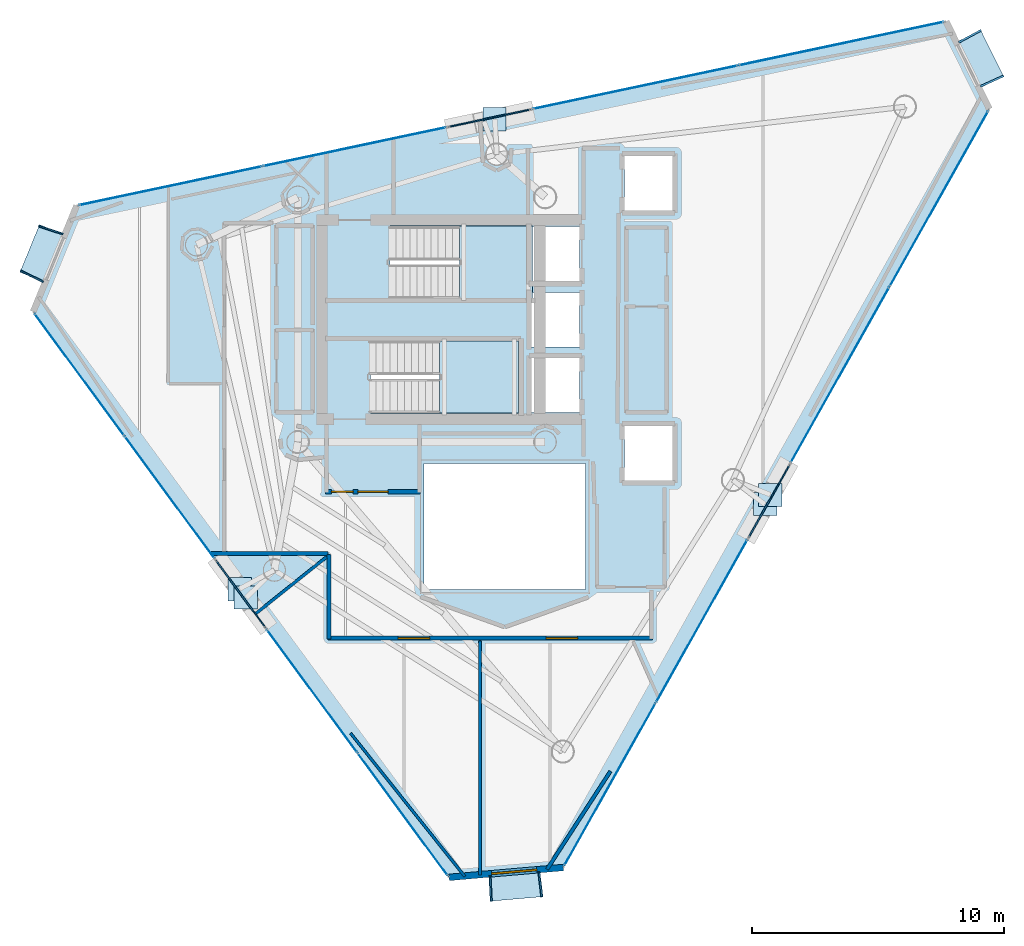
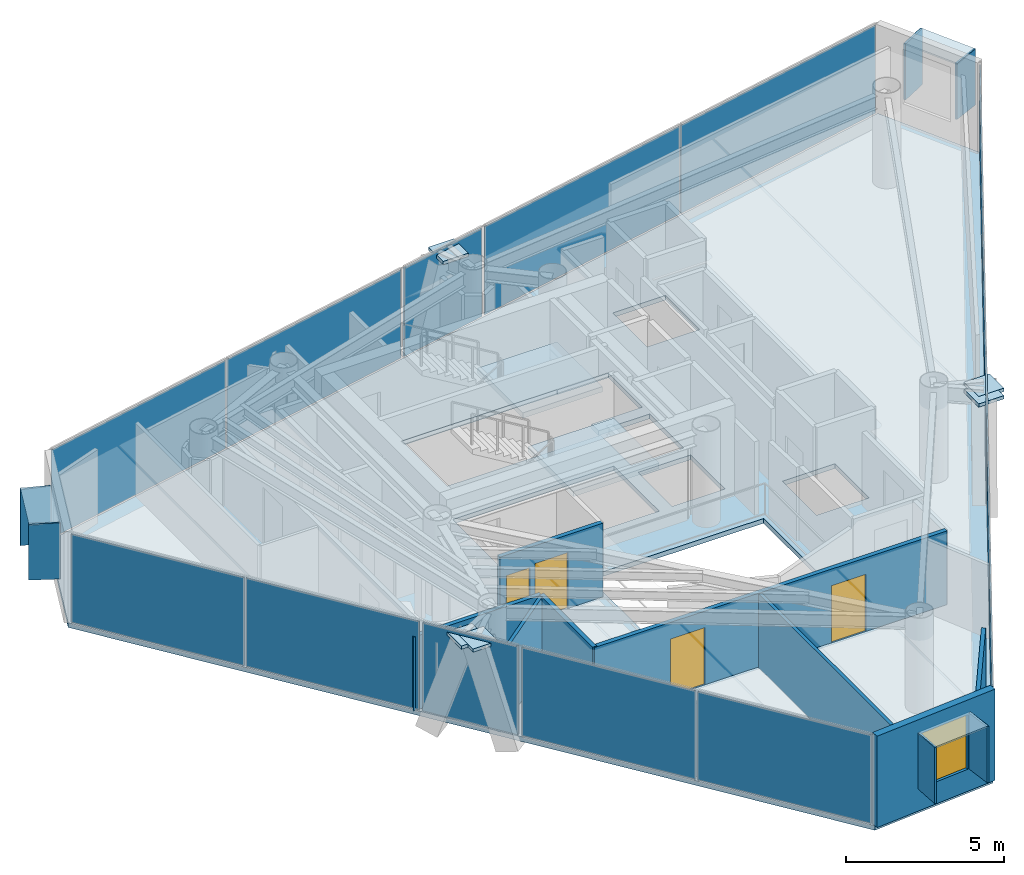
# One storey, part 16 of 21: 29 plates, 9 walls, 4 doors, 3 slabs, 1 window, 5 openings, 11 elements without a shape of their own.
"""IFC4 building model written with IfcOpenShell, lengths in metres."""

from ifc_helpers import new_model, si_unit, direction, frame, frame_2d, origin, origin_2d, place, context, subcontext, project, spatial, polyline, rectangle, outline, extrude, material, layer, layer_set, type_object, element, fill, aggregate, save


model = new_model("IFC4")

# Units and contexts
model_context = context("Model", 3, precision=1e-05, world=origin(), true_north=direction((0.0, 1.0)))
body_context = subcontext(model_context, "Body", "Model", "MODEL_VIEW")
ifc_project = project(units=[si_unit("LENGTHUNIT", "METRE"), si_unit("AREAUNIT", "SQUARE_METRE"), si_unit("VOLUMEUNIT", "CUBIC_METRE"), si_unit("PLANEANGLEUNIT", "RADIAN"), si_unit("MASSUNIT", "GRAM", prefix="KILO")], contexts=[model_context])

# Site, building, storey
site_placement = place(None, origin())
site = spatial("IfcSite", under=ifc_project, at=site_placement, CompositionType="ELEMENT")
building_placement = place(site_placement, origin())
building = spatial("IfcBuilding", under=site, at=building_placement, Name="Qianvela Tower", CompositionType="ELEMENT")
storey_placement = place(building_placement, frame((0.0, 0.0, 302.800048828125)))
storey = spatial("IfcBuildingStorey", under=building, at=storey_placement, Name="L78", CompositionType="ELEMENT", Elevation=302.800048828125)

# Curtain wall, plate
ifc_material_1 = material(Name="Anodised Architectural Aluminium and Insulated Spandrel Panel", Category="aluminium")
ifc_layer_1 = layer(ifc_material_1, 0.179931640625)
ifc_layer_set_1 = layer_set([ifc_layer_1], Name="Anodised Architectural Aluminium and Insulated Spandrel Panel")
curtain_wall_type_1 = type_object("IfcCurtainWallType", Name="CW-BRACEBAY", PredefinedType="USERDEFINED", material=ifc_layer_set_1)
curtain_wall_1_placement = place(storey_placement, origin())
curtain_wall_1 = element("IfcCurtainWall", 1, at=curtain_wall_1_placement, inside=storey, type_object=curtain_wall_type_1, Name="L78 CW-BRACEBAY Curtain Wall 02B", ObjectType="CURTAIN_WALL_SYSTEM", PredefinedType="USERDEFINED")
ifc_material_2 = material(Name="Insulated Aluminium Spandrel Panel with Mineral-Wool Backpan", Category="aluminium")
ifc_layer_2 = layer(ifc_material_2, 0.06005859375)
ifc_layer_set_2 = layer_set([ifc_layer_2], Name="Insulated Aluminium Spandrel Panel with Mineral-Wool Backpan")
plate_type_1 = type_object("IfcPlateType", Name="CW-BRACEBAY-PNL", PredefinedType="CURTAIN_PANEL", material=ifc_layer_set_2)
plate_1_placement = place(storey_placement, frame((36.194580078125, 36.6787109375, 0.06494140625), z_axis=(0.0, 0.0, 1.0), x_axis=(-0.978268005691, -0.207344421294, 0.0)))
plate_1 = element("IfcPlate", 2, at=plate_1_placement, type_object=plate_type_1, Name="CW-9 panel 1.1", PredefinedType="CURTAIN_PANEL", context=body_context, shape_type="SweptSolid", body=[
    extrude(rectangle(XDim=3.300048828125, YDim=0.06005859375, at=origin_2d()), origin(), (0.0, 0.0, 1.0), 3.389892578125),
])
aggregate(curtain_wall_1, [plate_1])

curtain_wall_2_placement = place(storey_placement, origin())
curtain_wall_2 = element("IfcCurtainWall", 3, at=curtain_wall_2_placement, inside=storey, type_object=curtain_wall_type_1, Name="L78 CW-BRACEBAY Curtain Wall 04B", ObjectType="CURTAIN_WALL_SYSTEM", PredefinedType="USERDEFINED")
plate_2_placement = place(storey_placement, frame((26.3388671875, 17.826904296875, 0.06494140625), z_axis=(0.0, 0.0, 1.0), x_axis=(0.592300020057, -0.805717497787, 0.0)))
plate_2 = element("IfcPlate", 4, at=plate_2_placement, type_object=plate_type_1, Name="CW-9 panel 1.1", PredefinedType="CURTAIN_PANEL", context=body_context, shape_type="SweptSolid", body=[
    extrude(rectangle(XDim=3.2900390625, YDim=0.06005859375, at=origin_2d()), origin(), (0.0, 0.0, 1.0), 3.389892578125),
])
aggregate(curtain_wall_2, [plate_2])

curtain_wall_3_placement = place(storey_placement, origin())
curtain_wall_3 = element("IfcCurtainWall", 5, at=curtain_wall_3_placement, inside=storey, type_object=curtain_wall_type_1, Name="L78 CW-BRACEBAY Curtain Wall 06B", ObjectType="CURTAIN_WALL_SYSTEM", PredefinedType="USERDEFINED")
plate_3_placement = place(storey_placement, frame((47.27001953125, 21.50927734375, 0.06494140625), z_axis=(0.0, 0.0, 1.0), x_axis=(0.489805820847, 0.871831553607, 0.0)))
plate_3 = element("IfcPlate", 6, at=plate_3_placement, type_object=plate_type_1, Name="CW-9 panel 1.1", PredefinedType="CURTAIN_PANEL", context=body_context, shape_type="SweptSolid", body=[
    extrude(rectangle(XDim=3.2900390625, YDim=0.06005859375, at=origin_2d()), origin(), (0.0, 0.0, 1.0), 3.389892578125),
])
aggregate(curtain_wall_3, [plate_3])

# Curtain wall, plates
ifc_material_3 = material(Name="Anodised Architectural Aluminium and Low-E Glass", Category="aluminium")
ifc_layer_3 = layer(ifc_material_3, 0.14990234375)
ifc_layer_set_3 = layer_set([ifc_layer_3], Name="Anodised Architectural Aluminium and Low-E Glass")
curtain_wall_type_2 = type_object("IfcCurtainWallType", Name="CW-COLIV-Z78", PredefinedType="USERDEFINED", material=ifc_layer_set_3)
curtain_wall_4_placement = place(storey_placement, origin())
curtain_wall_4 = element("IfcCurtainWall", 7, at=curtain_wall_4_placement, inside=storey, type_object=curtain_wall_type_2, Name="L78 CW-COLIV-Z78 Curtain Wall 02A", ObjectType="CURTAIN_WALL_SYSTEM", PredefinedType="USERDEFINED")
ifc_material_4 = material(Name="Double-Silver Low-E Insulated Glass", Category="glass")
ifc_layer_4 = layer(ifc_material_4, 0.02587890625)
ifc_layer_set_4 = layer_set([ifc_layer_4], Name="Double-Silver Low-E Insulated Glass")
plate_type_2 = type_object("IfcPlateType", Name="CW-COLIV-Z78-PNL", PredefinedType="CURTAIN_PANEL", material=ifc_layer_set_4)
plate_4_placement = place(storey_placement, frame((50.125, 39.63134765625, 0.06005859375), z_axis=(0.0, 0.0, 1.0), x_axis=(-0.978267884648, -0.207344992385, 0.0)))
plate_4 = element("IfcPlate", 8, at=plate_4_placement, type_object=plate_type_2, Name="CW-6 panel 1.1", PredefinedType="CURTAIN_PANEL", context=body_context, shape_type="SweptSolid", body=[
    extrude(rectangle(XDim=8.27001953125, YDim=0.02587890625, at=origin_2d()), origin(), (0.0, 0.0, 1.0), 3.39990234375),
])
plate_5_placement = place(storey_placement, frame((41.97607421875, 37.904296875, 0.06005859375), z_axis=(0.0, 0.0, 1.0), x_axis=(-0.978267884648, -0.207344992385, 0.0)))
plate_5 = element("IfcPlate", 9, at=plate_5_placement, type_object=plate_type_2, Name="CW-6 panel 2.1", PredefinedType="CURTAIN_PANEL", context=body_context, shape_type="SweptSolid", body=[
    extrude(rectangle(XDim=8.27001953125, YDim=0.02587890625, at=origin_2d()), origin(), (0.0, 0.0, 1.0), 3.39990234375),
])
aggregate(curtain_wall_4, [plate_4, plate_5])

curtain_wall_5_placement = place(storey_placement, origin())
curtain_wall_5 = element("IfcCurtainWall", 10, at=curtain_wall_5_placement, inside=storey, type_object=curtain_wall_type_2, Name="L78 CW-COLIV-Z78 Curtain Wall 02C", ObjectType="CURTAIN_WALL_SYSTEM", PredefinedType="USERDEFINED")
plate_6_placement = place(storey_placement, frame((30.84521484375, 35.544921875, 0.06005859375), z_axis=(0.0, 0.0, 1.0), x_axis=(-0.978267229413, -0.207348083802, 0.0)))
plate_6 = element("IfcPlate", 11, at=plate_6_placement, type_object=plate_type_2, Name="CW-6 panel 1.1", PredefinedType="CURTAIN_PANEL", context=body_context, shape_type="SweptSolid", body=[
    extrude(rectangle(XDim=7.385986328125, YDim=0.02587890625, at=origin_2d()), origin(), (0.0, 0.0, 1.0), 3.39990234375),
])
plate_7_placement = place(storey_placement, frame((23.56103515625, 34.0009765625, 0.06005859375), z_axis=(0.0, 0.0, 1.0), x_axis=(-0.978267229413, -0.207348083802, 0.0)))
plate_7 = element("IfcPlate", 12, at=plate_7_placement, type_object=plate_type_2, Name="CW-6 panel 2.1", PredefinedType="CURTAIN_PANEL", context=body_context, shape_type="SweptSolid", body=[
    extrude(rectangle(XDim=7.385986328125, YDim=0.02587890625, at=origin_2d()), origin(), (0.0, 0.0, 1.0), 3.39990234375),
])
aggregate(curtain_wall_5, [plate_6, plate_7])

curtain_wall_6_placement = place(storey_placement, origin())
curtain_wall_6 = element("IfcCurtainWall", 13, at=curtain_wall_6_placement, inside=storey, type_object=curtain_wall_type_2, Name="L78 CW-COLIV-Z78 Curtain Wall 04A", ObjectType="CURTAIN_WALL_SYSTEM", PredefinedType="USERDEFINED")
plate_8_placement = place(storey_placement, frame((19.950927734375, 26.5166015625, 0.06005859375), z_axis=(0.0, 0.0, 1.0), x_axis=(0.592295781621, -0.805720613535, 0.0)))
plate_8 = element("IfcPlate", 14, at=plate_8_placement, type_object=plate_type_2, Name="CW-6 panel 1.1", PredefinedType="CURTAIN_PANEL", context=body_context, shape_type="SweptSolid", body=[
    extrude(rectangle(XDim=5.969970703125, YDim=0.02587890625, at=origin_2d()), origin(), (0.0, 0.0, 1.0), 3.39990234375),
])
plate_9_placement = place(storey_placement, frame((23.5224609375, 21.658203125, 0.06005859375), z_axis=(0.0, 0.0, 1.0), x_axis=(0.592295781621, -0.805720613535, 0.0)))
plate_9 = element("IfcPlate", 15, at=plate_9_placement, type_object=plate_type_2, Name="CW-6 panel 2.1", PredefinedType="CURTAIN_PANEL", context=body_context, shape_type="SweptSolid", body=[
    extrude(rectangle(XDim=5.969970703125, YDim=0.02587890625, at=origin_2d()), origin(), (0.0, 0.0, 1.0), 3.39990234375),
])
aggregate(curtain_wall_6, [plate_8, plate_9])

curtain_wall_7_placement = place(storey_placement, origin())
curtain_wall_7 = element("IfcCurtainWall", 16, at=curtain_wall_7_placement, inside=storey, type_object=curtain_wall_type_2, Name="L78 CW-COLIV-Z78 Curtain Wall 04C", ObjectType="CURTAIN_WALL_SYSTEM", PredefinedType="USERDEFINED")
plate_10_placement = place(storey_placement, frame((29.162841796875, 13.9853515625, 0.06005859375), z_axis=(0.0, 0.0, 1.0), x_axis=(0.592293667395, -0.805722167725, 0.0)))
plate_10 = element("IfcPlate", 17, at=plate_10_placement, type_object=plate_type_2, Name="CW-6 panel 1.1", PredefinedType="CURTAIN_PANEL", context=body_context, shape_type="SweptSolid", body=[
    extrude(rectangle(XDim=5.995361328125, YDim=0.02587890625, at=origin_2d()), origin(), (0.0, 0.0, 1.0), 3.39990234375),
])
plate_11_placement = place(storey_placement, frame((32.749267578125, 9.1064453125, 0.06005859375), z_axis=(0.0, 0.0, 1.0), x_axis=(0.592293667395, -0.805722167725, 0.0)))
plate_11 = element("IfcPlate", 18, at=plate_11_placement, type_object=plate_type_2, Name="CW-6 panel 2.1", PredefinedType="CURTAIN_PANEL", context=body_context, shape_type="SweptSolid", body=[
    extrude(rectangle(XDim=5.995361328125, YDim=0.02587890625, at=origin_2d()), origin(), (0.0, 0.0, 1.0), 3.39990234375),
])
aggregate(curtain_wall_7, [plate_10, plate_11])

curtain_wall_8_placement = place(storey_placement, origin())
curtain_wall_8 = element("IfcCurtainWall", 19, at=curtain_wall_8_placement, inside=storey, type_object=curtain_wall_type_2, Name="L78 CW-COLIV-Z78 Curtain Wall 06A", ObjectType="CURTAIN_WALL_SYSTEM", PredefinedType="USERDEFINED")
plate_12_placement = place(storey_placement, frame((40.969970703125, 10.295166015625, 0.06005859375), z_axis=(0.0, 0.0, 1.0), x_axis=(0.489791493007, 0.871839603011, 0.0)))
plate_12 = element("IfcPlate", 20, at=plate_12_placement, type_object=plate_type_2, Name="CW-6 panel 1.1", PredefinedType="CURTAIN_PANEL", context=body_context, shape_type="SweptSolid", body=[
    extrude(rectangle(XDim=7.35498046875, YDim=0.02587890625, at=origin_2d()), origin(), (0.0, 0.0, 1.0), 3.39990234375),
])
plate_13_placement = place(storey_placement, frame((44.601806640625, 16.760009765625, 0.06005859375), z_axis=(0.0, 0.0, 1.0), x_axis=(0.489791493007, 0.871839603011, 0.0)))
plate_13 = element("IfcPlate", 21, at=plate_13_placement, type_object=plate_type_2, Name="CW-6 panel 2.1", PredefinedType="CURTAIN_PANEL", context=body_context, shape_type="SweptSolid", body=[
    extrude(rectangle(XDim=7.35498046875, YDim=0.02587890625, at=origin_2d()), origin(), (0.0, 0.0, 1.0), 3.39990234375),
])
aggregate(curtain_wall_8, [plate_12, plate_13])

curtain_wall_9_placement = place(storey_placement, origin())
curtain_wall_9 = element("IfcCurtainWall", 22, at=curtain_wall_9_placement, inside=storey, type_object=curtain_wall_type_2, Name="L78 CW-COLIV-Z78 Curtain Wall 06C", ObjectType="CURTAIN_WALL_SYSTEM", PredefinedType="USERDEFINED")
plate_14_placement = place(storey_placement, frame((50.080322265625, 26.51171875, 0.06005859375), z_axis=(0.0, 0.0, 1.0), x_axis=(0.489793846963, 0.871838280576, 0.0)))
plate_14 = element("IfcPlate", 23, at=plate_14_placement, type_object=plate_type_2, Name="CW-6 panel 1.1", PredefinedType="CURTAIN_PANEL", context=body_context, shape_type="SweptSolid", body=[
    extrude(rectangle(XDim=7.93603515625, YDim=0.02587890625, at=origin_2d()), origin(), (0.0, 0.0, 1.0), 3.39990234375),
])
plate_15_placement = place(storey_placement, frame((53.996826171875, 33.48291015625, 0.06005859375), z_axis=(0.0, 0.0, 1.0), x_axis=(0.489793846963, 0.871838280576, 0.0)))
plate_15 = element("IfcPlate", 24, at=plate_15_placement, type_object=plate_type_2, Name="CW-6 panel 2.1", PredefinedType="CURTAIN_PANEL", context=body_context, shape_type="SweptSolid", body=[
    extrude(rectangle(XDim=7.93603515625, YDim=0.02587890625, at=origin_2d()), origin(), (0.0, 0.0, 1.0), 3.39990234375),
])
aggregate(curtain_wall_9, [plate_14, plate_15])

# Plates
ifc_material_5 = material(Name="Steel Q420GJC", Category="steel")
ifc_layer_5 = layer(ifc_material_5, 0.1298828125)
ifc_layer_set_5 = layer_set([ifc_layer_5], Name="Steel Q420GJC")
plate_type_3 = type_object("IfcPlateType", Name="PT-ENDCAP-130", PredefinedType="USERDEFINED", material=ifc_layer_set_5)
for number, where, z_axis, x_axis, name in (
    (25, (36.386474609375, 36.6376953125, 3.210205078125), (0.0, 0.0, 1.0), (1.0, 0.0, 0.0), "L78 Hollow Section End Cap Plate B"),
    (26, (26.298828125, 18.01611328125, 3.210205078125), (0.0, 0.0, 1.0), (1.0, 0.0, 0.0), "L78 Hollow Section End Cap Plate B"),
    (27, (26.5380859375, 17.69091796875, 3.210205078125), (0.0, 0.0, 1.0), (1.0, 0.0, 0.0), "L78 Hollow Section End Cap Plate B"),
    (28, (47.114013671875, 21.394775390625, 3.210205078125), (0.0, 0.0, 1.0), (1.0, 0.0, 0.0), "L78 Hollow Section End Cap Plate B"),
    (29, (47.311767578125, 21.746826171875, 3.210205078125), (0.0, 0.0, 1.0), (1.0, 0.0, 0.0), "L78 Hollow Section End Cap Plate B"),
):
    element("IfcPlate", number, at=place(storey_placement, frame(where, z_axis=z_axis, x_axis=x_axis)), inside=storey, type_object=plate_type_3, Name=name, ObjectType="END_CAP", PredefinedType="USERDEFINED", context=body_context, shape_type="SweptSolid", body=[
        extrude(rectangle(XDim=0.919921875, YDim=0.919921875, at=origin_2d()), origin(), (0.0, 0.0, 1.0), 0.1298828125),
    ])

# Slab
ifc_material_6 = material(Name="Concrete C40", Category="concrete")
ifc_layer_6 = layer(ifc_material_6, 0.179931640625)
ifc_layer_set_6 = layer_set([ifc_layer_6], Name="Concrete C40")
slab_type_1 = type_object("IfcSlabType", Name="SL-FLOOR-180", PredefinedType="FLOOR", material=ifc_layer_set_6)
slab_1_placement = place(storey_placement, frame((0.0, 0.0, -0.179931640625)))
element("IfcSlab", 30, at=slab_1_placement, inside=storey, type_object=slab_type_1, Name="L78 Composite Structural Floor Slab", PredefinedType="FLOOR", context=body_context, shape_type="SweptSolid", body=[
    extrude(outline(polyline([(55.994140625, 37.038330078125), (54.27783203125, 40.51171875), (19.8408203125, 33.21240234375), (18.117919921875, 29.01025390625), (34.590087890625, 6.6025390625), (39.114990234375, 6.9931640625), (55.994140625, 37.038330078125)]), holes=[polyline([(40.0, 23.0), (33.60009765625, 23.0), (33.60009765625, 18.0), (40.0, 18.0), (40.0, 23.0)]), polyline([(43.4599609375, 24.47998046875), (41.5400390625, 24.47998046875), (41.5400390625, 22.320068359375), (43.4599609375, 22.320068359375), (43.4599609375, 24.47998046875)]), polyline([(39.760009765625, 27.179931640625), (37.840087890625, 27.179931640625), (37.840087890625, 25.02001953125), (39.760009765625, 25.02001953125), (39.760009765625, 27.179931640625)]), polyline([(37.35009765625, 27.860107421875), (31.469970703125, 27.860107421875), (31.469970703125, 25.0), (37.35009765625, 25.0), (37.35009765625, 27.860107421875)]), polyline([(39.760009765625, 27.6201171875), (39.760009765625, 29.780029296875), (37.89990234375, 29.780029296875), (37.89990234375, 30.219970703125), (39.760009765625, 30.219970703125), (39.760009765625, 32.3798828125), (37.89990234375, 32.3798828125), (37.89990234375, 32.39990234375), (32.25, 32.39990234375), (32.25, 29.5400390625), (37.840087890625, 29.5400390625), (37.840087890625, 27.6201171875), (39.760009765625, 27.6201171875)]), polyline([(43.4599609375, 35.179931640625), (41.5400390625, 35.179931640625), (41.5400390625, 33.02001953125), (43.4599609375, 33.02001953125), (43.4599609375, 35.179931640625)])]), origin(), (0.0, 0.0, 1.0), 0.179931640625),
])

# Stair, slab
ifc_material_7 = material(Name="Concrete C40", Category="concrete")
stair_type = type_object("IfcStairType", Name="ST-DOGLEG-1350-R168-N22", PredefinedType="HALF_TURN_STAIR", material=ifc_material_7)
stair_1_placement = place(storey_placement, origin())
stair_1 = element("IfcStair", 31, at=stair_1_placement, inside=storey, type_object=stair_type, Name="L78 Smoke-Proof Core Stair ST-1", PredefinedType="HALF_TURN_STAIR")
ifc_material_8 = material(Name="Concrete C40", Category="concrete")
ifc_layer_7 = layer(ifc_material_8, 0.199951171875)
ifc_layer_set_7 = layer_set([ifc_layer_7], Name="Concrete C40")
slab_type_2 = type_object("IfcSlabType", Name="SL-STAIR-LANDING-200", PredefinedType="LANDING", material=ifc_layer_set_7)
slab_2_placement = place(storey_placement, frame((0.0, 0.0, 1.64990234375)))
slab_2 = element("IfcSlab", 32, at=slab_2_placement, type_object=slab_type_2, Name="ST-1 landing 1", PredefinedType="LANDING", context=body_context, shape_type="SweptSolid", body=[
    extrude(outline(polyline([(35.0, 29.5400390625), (37.89990234375, 29.5400390625), (37.89990234375, 32.39990234375), (35.0, 32.39990234375), (35.0, 29.5400390625)])), origin(), (0.0, 0.0, 1.0), 0.199951171875),
])
aggregate(stair_1, [slab_2])

stair_2_placement = place(storey_placement, origin())
stair_2 = element("IfcStair", 33, at=stair_2_placement, inside=storey, type_object=stair_type, Name="L78 Smoke-Proof Core Stair ST-2", PredefinedType="HALF_TURN_STAIR")
slab_3_placement = place(storey_placement, frame((0.0, 0.0, 1.64990234375)))
slab_3 = element("IfcSlab", 34, at=slab_3_placement, type_object=slab_type_2, Name="ST-2 landing 1", PredefinedType="LANDING", context=body_context, shape_type="SweptSolid", body=[
    extrude(outline(polyline([(34.219970703125, 25.0), (37.35009765625, 25.0), (37.35009765625, 27.860107421875), (34.219970703125, 27.860107421875), (34.219970703125, 25.0)])), origin(), (0.0, 0.0, 1.0), 0.199951171875),
])
aggregate(stair_2, [slab_3])

# Plates
ifc_material_9 = material(Name="Vitrified Architectural Terracotta Panel", Category="masonry")
ifc_layer_8 = layer(ifc_material_9, 0.06005859375)
ifc_layer_set_8 = layer_set([ifc_layer_8], Name="Vitrified Architectural Terracotta Panel")
plate_type_4 = type_object("IfcPlateType", Name="TERRACOTTA-SUNSHADE-HOOD-FOLD-A", PredefinedType="USERDEFINED", material=ifc_layer_set_8)
plate_16_placement = place(storey_placement, frame((18.43798828125, 31.333251953125, 2.9599609375), z_axis=(0.0, 0.0, 1.0), x_axis=(-0.379352810244, -0.925252098274, 0.0)))
element("IfcPlate", 35, at=plate_16_placement, inside=storey, type_object=plate_type_4, Name="L78 Terracotta Sunshade Hood FOLD-A", ObjectType="SUNSHADE", PredefinedType="USERDEFINED", context=body_context, shape_type="SweptSolid", body=[
    extrude(rectangle(XDim=2.0400390625, YDim=0.989990234375, at=origin_2d()), origin(), (0.0, 0.0, 1.0), 0.06005859375),
])
ifc_material_10 = material(Name="Vitrified Architectural Terracotta Panel", Category="masonry")
ifc_layer_9 = layer(ifc_material_10, 0.070068359375)
ifc_layer_set_9 = layer_set([ifc_layer_9], Name="Vitrified Architectural Terracotta Panel")
plate_type_5 = type_object("IfcPlateType", Name="TERRACOTTA-SUNSHADE-HOOD-FOLD-C", PredefinedType="USERDEFINED", material=ifc_layer_set_9)
for number, where, z_axis, x_axis, name in (
    (36, (55.660400390625, 39.0341796875, 2.9599609375), (0.0, 0.0, 1.0), (-0.44303676789, 0.896503442435, 0.0), "L78 Terracotta Sunshade Hood FOLD-C"),
    (37, (37.2216796875, 6.242431640625, 2.9599609375), (0.0, 0.0, 1.0), (0.99629488367, 0.086002934678, 0.0), "L78 Terracotta Sunshade Hood FOLD-C"),
):
    element("IfcPlate", number, at=place(storey_placement, frame(where, z_axis=z_axis, x_axis=x_axis)), inside=storey, type_object=plate_type_5, Name=name, ObjectType="SUNSHADE", PredefinedType="USERDEFINED", context=body_context, shape_type="SweptSolid", body=[
        extrude(rectangle(XDim=2.0400390625, YDim=0.989990234375, at=origin_2d()), origin(), (0.0, 0.0, 1.0), 0.06005859375),
    ])
ifc_material_11 = material(Name="Vitrified Architectural Terracotta Side Fin Panel", Category="masonry")
ifc_layer_10 = layer(ifc_material_11, 0.06494140625)
ifc_layer_set_10 = layer_set([ifc_layer_10], Name="Vitrified Architectural Terracotta Side Fin Panel")
plate_type_6 = type_object("IfcPlateType", Name="TERRACOTTA-SUNSHADE-STRUT-FOLD-A", PredefinedType="USERDEFINED", material=ifc_layer_set_10)
for number, where, z_axis, x_axis, name in (
    (38, (18.8134765625, 32.249267578125, 0.85009765625), (0.0, 0.0, 1.0), (-0.313886402165, -0.949460545013, 0.0), "L78 Terracotta Sunshade Side Fin HL FOLD-A"),
    (39, (18.0625, 30.417236328125, 0.85009765625), (0.0, 0.0, 1.0), (-0.442971049565, -0.896535916318, 0.0), "L78 Terracotta Sunshade Side Fin HR FOLD-A"),
):
    element("IfcPlate", number, at=place(storey_placement, frame(where, z_axis=z_axis, x_axis=x_axis)), inside=storey, type_object=plate_type_6, Name=name, ObjectType="SUNSHADE", PredefinedType="USERDEFINED", context=body_context, shape_type="SweptSolid", body=[
        extrude(rectangle(XDim=0.06494140625, YDim=1.010009765625, at=origin_2d()), origin(), (0.0, 0.0, 1.0), 2.159912109375),
    ])
ifc_material_12 = material(Name="Vitrified Architectural Terracotta Side Fin Panel", Category="masonry")
ifc_layer_11 = layer(ifc_material_12, 0.074951171875)
ifc_layer_set_11 = layer_set([ifc_layer_11], Name="Vitrified Architectural Terracotta Side Fin Panel")
plate_type_7 = type_object("IfcPlateType", Name="TERRACOTTA-SUNSHADE-STRUT-FOLD-C", PredefinedType="USERDEFINED", material=ifc_layer_set_11)
for number, where, z_axis, x_axis, name in (
    (40, (56.09912109375, 38.146484375, 0.85009765625), (0.0, 0.0, 1.0), (-0.411479362928, 0.911419076981, 0.0), "L78 Terracotta Sunshade Side Fin HL FOLD-C"),
    (41, (55.2216796875, 39.921630859375, 0.85009765625), (0.0, 0.0, 1.0), (-0.474054400794, 0.880495556541, 0.0), "L78 Terracotta Sunshade Side Fin HR FOLD-C"),
    (42, (36.235107421875, 6.1572265625, 0.85009765625), (0.0, 0.0, 1.0), (0.998689426881, 0.051180354006, 0.0), "L78 Terracotta Sunshade Side Fin HL FOLD-C"),
    (43, (38.2080078125, 6.32763671875, 0.85009765625), (0.0, 0.0, 1.0), (0.992686508611, 0.120720734021, 0.0), "L78 Terracotta Sunshade Side Fin HR FOLD-C"),
):
    element("IfcPlate", number, at=place(storey_placement, frame(where, z_axis=z_axis, x_axis=x_axis)), inside=storey, type_object=plate_type_7, Name=name, ObjectType="SUNSHADE", PredefinedType="USERDEFINED", context=body_context, shape_type="SweptSolid", body=[
        extrude(rectangle(XDim=0.074951171875, YDim=1.010009765625, at=origin_2d()), origin(), (0.0, 0.0, 1.0), 2.159912109375),
    ])

# Wall, opening, window
ifc_material_13 = material(Name="Terracotta Cladding on Concrete C40", Category="masonry")
ifc_layer_12 = layer(ifc_material_13, 0.260009765625)
ifc_layer_set_12 = layer_set([ifc_layer_12], Name="Terracotta Cladding on Concrete C40")
wall_type_1 = type_object("IfcWallType", Name="TERRACOTTA-WALL-260", PredefinedType="SOLIDWALL", material=ifc_layer_set_12)
wall_1_placement = place(storey_placement, frame((34.590087890625, 6.6025390625, 0.0), z_axis=(0.0, 0.0, 1.0), x_axis=(0.996294451757, 0.086007937996, 0.0)))
wall_1 = element("IfcWall", 44, at=wall_1_placement, inside=storey, type_object=wall_type_1, Name="L78 Terracotta Chamfer Facet Wall 5", PredefinedType="SOLIDWALL", context=body_context, shape_type="SweptSolid", body=[
    extrude(rectangle(XDim=4.541748046875, YDim=0.260009765625, at=frame_2d((2.27099609375, 0.0))), origin(), (0.0, 0.0, 1.0), 3.52001953125),
])
opening_1_placement = place(wall_1_placement, frame((1.69091796875, 0.0, 0.85009765625)))
opening_1 = element("IfcOpeningElement", 45, at=opening_1_placement, cuts=wall_1, Name="Opening W-01", PredefinedType="OPENING", context=body_context, shape_type="SweptSolid", body=[
    extrude(rectangle(XDim=1.800048828125, YDim=2.10009765625, at=frame_2d((0.89990234375, 1.050048828125))), frame((0.0, 0.139892578125, 0.0), z_axis=(0.0, -1.0, 0.0), x_axis=(1.0, 0.0, 0.0)), (0.0, 0.0, 1.0), 0.280029296875),
])
ifc_material_14 = material(Name="Thermally Broken Aluminium and Low-E Glass", Category="aluminium")
window_type = type_object("IfcWindowType", Name="WIN-TC-1800x2100", PartitioningType="DOUBLE_PANEL_VERTICAL", PredefinedType="WINDOW", material=ifc_material_14)
window_placement = place(opening_1_placement, origin())
window = element("IfcWindow", 46, at=window_placement, inside=storey, type_object=window_type, Name="L78 Chamfer Facet Window 5.1", OverallHeight=2.10009765625, OverallWidth=1.800048828125, PartitioningType="SINGLE_PANEL", PredefinedType="WINDOW", context=body_context, shape_type="SweptSolid", body=[
    extrude(rectangle(XDim=1.800048828125, YDim=2.10009765625, at=frame_2d((0.89990234375, 1.050048828125))), frame((0.0, 0.030029296875, 0.0), z_axis=(0.0, -1.0, 0.0), x_axis=(1.0, 0.0, 0.0)), (0.0, 0.0, 1.0), 0.06005859375),
])
fill(opening_1, window)

# Wall, openings, doors
ifc_material_15 = material(Name="Fire-Rated Gypsum and Concrete Block", Category="concrete")
ifc_layer_13 = layer(ifc_material_15, 0.159912109375)
ifc_layer_set_13 = layer_set([ifc_layer_13], Name="Fire-Rated Gypsum and Concrete Block")
wall_type_2 = type_object("IfcWallType", Name="WT-CORR-160", PredefinedType="PARTITIONING", material=ifc_layer_set_13)
wall_2_placement = place(storey_placement, frame((33.449951171875, 21.881103515625, 0.0), z_axis=(0.0, 0.0, 1.0), x_axis=(-1.0, 0.0, 0.0)))
wall_2 = element("IfcWall", 47, at=wall_2_placement, inside=storey, type_object=wall_type_2, Name="L78 Partition 6", PredefinedType="PARTITIONING", context=body_context, shape_type="SweptSolid", body=[
    extrude(rectangle(XDim=3.75, YDim=0.159912109375, at=frame_2d((1.875, 0.0))), origin(), (0.0, 0.0, 1.0), 2.83984375),
])
opening_2_placement = place(wall_2_placement, frame((1.27490234375, 0.0, 0.0)))
opening_2 = element("IfcOpeningElement", 48, at=opening_2_placement, cuts=wall_2, Name="Opening D-LB1", PredefinedType="OPENING", context=body_context, shape_type="SweptSolid", body=[
    extrude(rectangle(XDim=1.199951171875, YDim=2.14990234375, at=frame_2d((0.60009765625, 1.074951171875))), frame((0.0, 0.08984375, 0.0), z_axis=(0.0, -1.0, 0.0), x_axis=(1.0, 0.0, 0.0)), (0.0, 0.0, 1.0), 0.179931640625),
])
opening_3_placement = place(wall_2_placement, frame((2.659912109375, 0.0, 0.0)))
opening_3 = element("IfcOpeningElement", 49, at=opening_3_placement, cuts=wall_2, Name="Opening D-LB2", PredefinedType="OPENING", context=body_context, shape_type="SweptSolid", body=[
    extrude(rectangle(XDim=0.860107421875, YDim=2.050048828125, at=frame_2d((0.43017578125, 1.02490234375))), frame((0.0, 0.08984375, 0.0), z_axis=(0.0, -1.0, 0.0), x_axis=(1.0, 0.0, 0.0)), (0.0, 0.0, 1.0), 0.179931640625),
])
ifc_material_16 = material(Name="Glazed Fire-Rated Steel Frame", Category="steel")
door_type_1 = type_object("IfcDoorType", Name="DT-LOBBY-FD90", OperationType="NOTDEFINED", PredefinedType="DOOR", material=ifc_material_16)
door_1_placement = place(opening_2_placement, origin())
door_1 = element("IfcDoor", 50, at=door_1_placement, inside=storey, type_object=door_type_1, Name="L78 Door L78 Firefighting Lobby South to L78 Floor Corridor", OperationType="SINGLE_SWING_RIGHT", OverallHeight=2.14990234375, OverallWidth=1.199951171875, PredefinedType="DOOR", context=body_context, shape_type="SweptSolid", body=[
    extrude(rectangle(XDim=1.199951171875, YDim=2.14990234375, at=frame_2d((0.60009765625, 1.074951171875))), frame((0.0, 0.02490234375, 0.0), z_axis=(0.0, -1.0, 0.0), x_axis=(1.0, 0.0, 0.0)), (0.0, 0.0, 1.0), 0.050048828125),
])
fill(opening_2, door_1)
ifc_material_17 = material(Name="Insulated Steel Fire Door Q355B", Category="steel")
door_type_2 = type_object("IfcDoorType", Name="DT-LOBBY-FD90-860", OperationType="NOTDEFINED", PredefinedType="DOOR", material=ifc_material_17)
door_2_placement = place(opening_3_placement, origin())
door_2 = element("IfcDoor", 51, at=door_2_placement, inside=storey, type_object=door_type_2, Name="L78 Door L78 Firefighting Lobby South to L78 Floor Corridor", OperationType="SINGLE_SWING_RIGHT", OverallHeight=2.050048828125, OverallWidth=0.860107421875, PredefinedType="DOOR", context=body_context, shape_type="SweptSolid", body=[
    extrude(rectangle(XDim=0.860107421875, YDim=2.050048828125, at=frame_2d((0.43017578125, 1.02490234375))), frame((0.0, 0.02490234375, 0.0), z_axis=(0.0, -1.0, 0.0), x_axis=(1.0, 0.0, 0.0)), (0.0, 0.0, 1.0), 0.050048828125),
])
fill(opening_3, door_2)

wall_3_placement = place(storey_placement, frame((42.64990234375, 16.0810546875, 0.0), z_axis=(0.0, 0.0, 1.0), x_axis=(-1.0, 0.0, 0.0)))
wall_3 = element("IfcWall", 52, at=wall_3_placement, inside=storey, type_object=wall_type_2, Name="L78 Partition 74", PredefinedType="PARTITIONING", context=body_context, shape_type="SweptSolid", body=[
    extrude(rectangle(XDim=12.849853515625, YDim=0.159912109375, at=frame_2d((6.4248046875, 0.0))), origin(), (0.0, 0.0, 1.0), 2.83984375),
])
opening_4_placement = place(wall_3_placement, frame((8.828125, 0.0, 0.0)))
opening_4 = element("IfcOpeningElement", 53, at=opening_4_placement, cuts=wall_3, Name="Opening D-LG1", PredefinedType="OPENING", context=body_context, shape_type="SweptSolid", body=[
    extrude(rectangle(XDim=1.25, YDim=2.199951171875, at=frame_2d((0.625, 1.10009765625))), frame((0.0, 0.08984375, 0.0), z_axis=(0.0, -1.0, 0.0), x_axis=(1.0, 0.0, 0.0)), (0.0, 0.0, 1.0), 0.179931640625),
])
opening_5_placement = place(wall_3_placement, frame((2.96240234375, 0.0, 0.0)))
opening_5 = element("IfcOpeningElement", 54, at=opening_5_placement, cuts=wall_3, Name="Opening D-LG1", PredefinedType="OPENING", context=body_context, shape_type="SweptSolid", body=[
    extrude(rectangle(XDim=1.25, YDim=2.199951171875, at=frame_2d((0.625, 1.10009765625))), frame((0.0, 0.08984375, 0.0), z_axis=(0.0, -1.0, 0.0), x_axis=(1.0, 0.0, 0.0)), (0.0, 0.0, 1.0), 0.179931640625),
])
ifc_material_18 = material(Name="Anodised Aluminium Acoustic Glass Door", Category="aluminium")
door_type_3 = type_object("IfcDoorType", Name="DT-LOUNGE-1250", OperationType="NOTDEFINED", PredefinedType="DOOR", material=ifc_material_18)
door_3_placement = place(opening_4_placement, origin())
door_3 = element("IfcDoor", 55, at=door_3_placement, inside=storey, type_object=door_type_3, Name="L78 Door Graduate Seminar Classroom L78-02 to L78 Floor Corridor", OperationType="SINGLE_SWING_RIGHT", OverallHeight=2.199951171875, OverallWidth=1.25, PredefinedType="DOOR", context=body_context, shape_type="SweptSolid", body=[
    extrude(rectangle(XDim=1.25, YDim=2.199951171875, at=frame_2d((0.625, 1.10009765625))), frame((0.0, 0.02490234375, 0.0), z_axis=(0.0, -1.0, 0.0), x_axis=(1.0, 0.0, 0.0)), (0.0, 0.0, 1.0), 0.050048828125),
])
fill(opening_4, door_3)
door_4_placement = place(opening_5_placement, origin())
door_4 = element("IfcDoor", 56, at=door_4_placement, inside=storey, type_object=door_type_3, Name="L78 Door Tutorial Breakout Seminar L78-03 to L78 Floor Corridor", OperationType="SINGLE_SWING_LEFT", OverallHeight=2.199951171875, OverallWidth=1.25, PredefinedType="DOOR", context=body_context, shape_type="SweptSolid", body=[
    extrude(rectangle(XDim=1.25, YDim=2.199951171875, at=frame_2d((0.625, 1.10009765625))), frame((0.0, 0.02490234375, 0.0), z_axis=(0.0, -1.0, 0.0), x_axis=(1.0, 0.0, 0.0)), (0.0, 0.0, 1.0), 0.050048828125),
])
fill(opening_5, door_4)

# Walls
wall_4_placement = place(storey_placement, frame((29.8310546875, 16.050048828125, 0.0), z_axis=(0.0, 0.0, 1.0), x_axis=(0.0, 1.0, 0.0)))
element("IfcWall", 57, at=wall_4_placement, inside=storey, type_object=wall_type_2, Name="L78 Partition 75", PredefinedType="PARTITIONING", context=body_context, shape_type="SweptSolid", body=[
    extrude(rectangle(XDim=3.349853515625, YDim=0.159912109375, at=frame_2d((1.6748046875, 0.0))), origin(), (0.0, 0.0, 1.0), 2.83984375),
])
wall_5_placement = place(storey_placement, frame((29.800048828125, 19.430908203125, 0.0), z_axis=(0.0, 0.0, 1.0), x_axis=(-1.0, 0.0, 0.0)))
element("IfcWall", 58, at=wall_5_placement, inside=storey, type_object=wall_type_2, Name="L78 Partition 76", PredefinedType="PARTITIONING", context=body_context, shape_type="SweptSolid", body=[
    extrude(rectangle(XDim=4.660400390625, YDim=0.159912109375, at=frame_2d((2.330078125, 0.0))), origin(), (0.0, 0.0, 1.0), 2.83984375),
])
ifc_material_19 = material(Name="Lightweight Gypsum Room Partition")
ifc_layer_14 = layer(ifc_material_19, 0.10498046875)
ifc_layer_set_14 = layer_set([ifc_layer_14], Name="Lightweight Gypsum Room Partition")
wall_type_3 = type_object("IfcWallType", Name="WT-PART-105", PredefinedType="PARTITIONING", material=ifc_layer_set_14)
wall_6_placement = place(storey_placement, frame((35.2158203125, 6.639404296875, 0.0), z_axis=(0.0, 0.0, 1.0), x_axis=(-0.623579218615, 0.781760166619, 0.0)))
element("IfcWall", 59, at=wall_6_placement, inside=storey, type_object=wall_type_3, Name="L78 Partition 88 seg 1", PredefinedType="PARTITIONING", context=body_context, shape_type="SweptSolid", body=[
    extrude(rectangle(XDim=7.26171875, YDim=0.10498046875, at=frame_2d((3.630859375, 0.0))), origin(), (0.0, 0.0, 1.0), 2.83984375),
])
ifc_material_20 = material(Name="Insulated Gypsum Stud Partition")
ifc_layer_15 = layer(ifc_material_20, 0.1201171875)
ifc_layer_set_15 = layer_set([ifc_layer_15], Name="Insulated Gypsum Stud Partition")
wall_type_4 = type_object("IfcWallType", Name="WT-PART-120", PredefinedType="PARTITIONING", material=ifc_layer_set_15)
wall_7_placement = place(storey_placement, frame((26.901611328125, 17.027587890625, 0.0), z_axis=(0.0, 0.0, 1.0), x_axis=(0.781137538784, 0.624358987684, 0.0)))
element("IfcWall", 60, at=wall_7_placement, inside=storey, type_object=wall_type_4, Name="L78 Partition 84", PredefinedType="PARTITIONING", context=body_context, shape_type="SweptSolid", body=[
    extrude(rectangle(XDim=3.633056640625, YDim=0.1201171875, at=frame_2d((1.81640625, 0.0))), origin(), (0.0, 0.0, 1.0), 2.83984375),
])
wall_8_placement = place(storey_placement, frame((35.8212890625, 15.972900390625, 0.0), z_axis=(0.0, 0.0, 1.0), x_axis=(0.0, -1.0, 0.0)))
element("IfcWall", 61, at=wall_8_placement, inside=storey, type_object=wall_type_4, Name="L78 Partition 87", PredefinedType="PARTITIONING", context=body_context, shape_type="SweptSolid", body=[
    extrude(rectangle(XDim=9.2841796875, YDim=0.1201171875, at=frame_2d((4.64208984375, 0.0))), origin(), (0.0, 0.0, 1.0), 2.83984375),
])
ifc_material_21 = material(Name="Acoustic Double Gypsum Stud Partition")
ifc_layer_16 = layer(ifc_material_21, 0.139892578125)
ifc_layer_set_16 = layer_set([ifc_layer_16], Name="Acoustic Double Gypsum Stud Partition")
wall_type_5 = type_object("IfcWallType", Name="WT-ROOM-140", PredefinedType="PARTITIONING", material=ifc_layer_set_16)
wall_9_placement = place(storey_placement, frame((40.98193359375, 10.806640625, 0.0), z_axis=(0.0, 0.0, 1.0), x_axis=(-0.542708512803, -0.839921109469, 0.0)))
element("IfcWall", 62, at=wall_9_placement, inside=storey, type_object=wall_type_5, Name="L78 Partition 89 seg 1", PredefinedType="PARTITIONING", context=body_context, shape_type="SweptSolid", body=[
    extrude(rectangle(XDim=4.626220703125, YDim=0.139892578125, at=frame_2d((2.31298828125, 0.0))), origin(), (0.0, 0.0, 1.0), 2.83984375),
])

save(model, "model.ifc")
